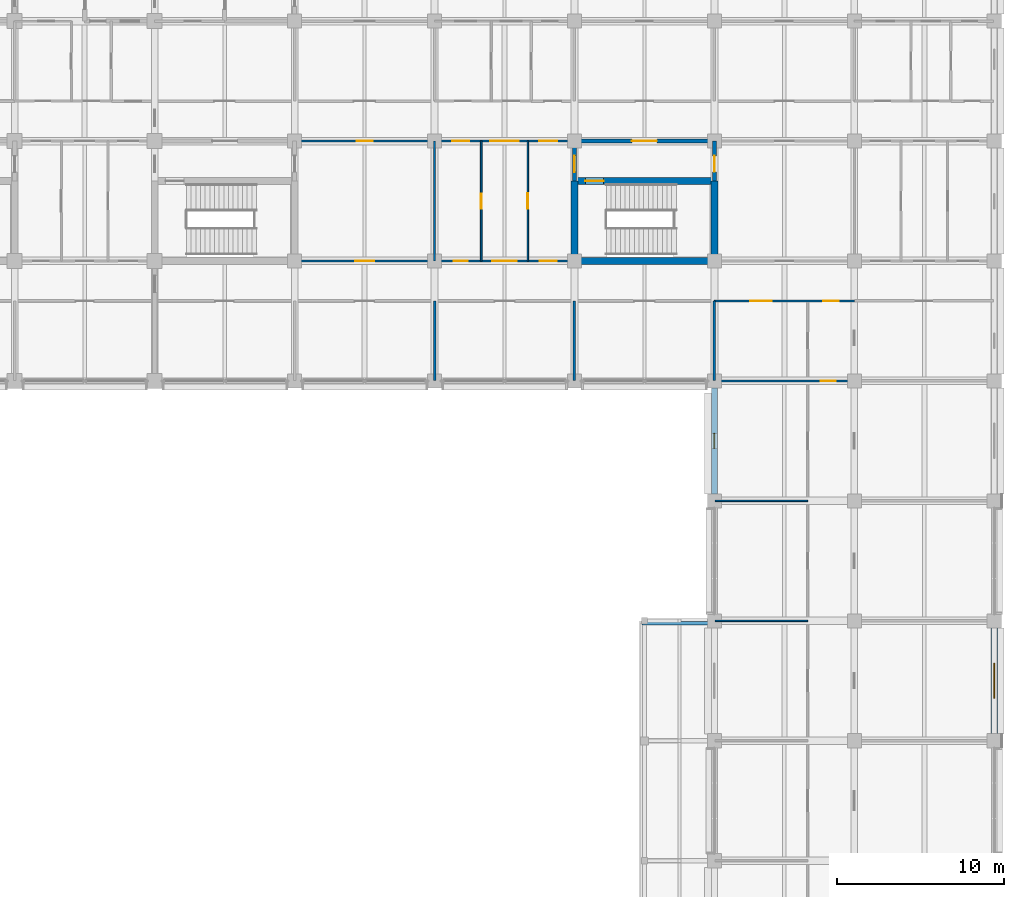
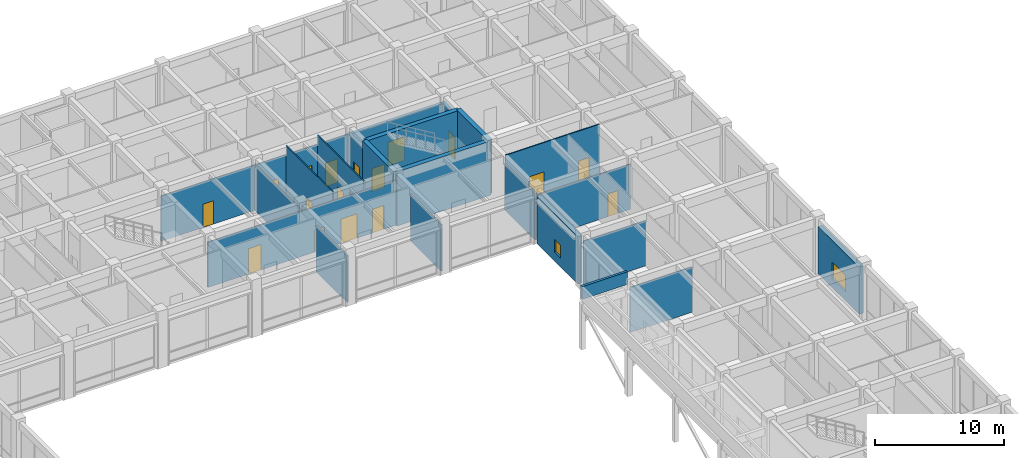
# One storey, part 56 of 68: 22 walls, 17 doors, 2 windows, 19 openings.
"""IFC4 building model written with IfcOpenShell, lengths in metres."""

from ifc_helpers import new_model, si_unit, direction, frame, frame_2d, origin, place, context, subcontext, project, spatial, rectangle, extrude, material, layer, layer_set, type_object, element, fill, save


model = new_model("IFC4")

# Units and contexts
model_context = context("Model", 3, precision=1e-05, world=origin(), true_north=direction((0.0, 1.0)))
body_context = subcontext(model_context, "Body", "Model", "MODEL_VIEW")
ifc_project = project(units=[si_unit("LENGTHUNIT", "METRE"), si_unit("AREAUNIT", "SQUARE_METRE"), si_unit("VOLUMEUNIT", "CUBIC_METRE"), si_unit("PLANEANGLEUNIT", "RADIAN"), si_unit("MASSUNIT", "GRAM", prefix="KILO")], contexts=[model_context])

# Site, building, storey
site_placement = place(None, origin())
site = spatial("IfcSite", under=ifc_project, at=site_placement, CompositionType="ELEMENT")
building_placement = place(site_placement, origin())
building = spatial("IfcBuilding", under=site, at=building_placement, Name="Chengyuan Square Courthouse", CompositionType="ELEMENT")
storey_placement = place(building_placement, frame((0.0, 0.0, 5.39990234375)))
storey = spatial("IfcBuildingStorey", under=building, at=storey_placement, Name="L02", CompositionType="ELEMENT", Elevation=5.39990234375)

# Wall, opening, window
ifc_material_1 = material(Name="Concrete C40", Category="concrete")
ifc_layer_1 = layer(ifc_material_1, 0.3798828125)
ifc_layer_set_1 = layer_set([ifc_layer_1], Name="Concrete C40")
wall_type_1 = type_object("IfcWallType", Name="WL-EW1", PredefinedType="STANDARD", material=ifc_layer_set_1)
wall_1_placement = place(storey_placement, frame((151.199951171875, 72.419921875, 0.0), z_axis=(0.0, 0.0, 1.0), x_axis=(0.0, 1.0, 0.0)))
wall_1 = element("IfcWall", 1, at=wall_1_placement, inside=storey, type_object=wall_type_1, Name="Exterior Wall WL-L02-E245", PredefinedType="STANDARD", context=body_context, shape_type="SweptSolid", body=[
    extrude(rectangle(XDim=6.360107421875, YDim=0.3798828125, at=frame_2d((3.18017578125, 0.0))), origin(), (0.0, 0.0, 1.0), 4.47021484375),
])
opening_1_placement = place(wall_1_placement, frame((2.72998046875, 0.0, 0.85009765625)))
opening_1 = element("IfcOpeningElement", 2, at=opening_1_placement, cuts=wall_1, Name="Opening WN-047", PredefinedType="OPENING", context=body_context, shape_type="SweptSolid", body=[
    extrude(rectangle(XDim=0.89990234375, YDim=1.199951171875, at=frame_2d((0.449951171875, 0.60009765625))), frame((0.0, 0.201904296875, 0.0), z_axis=(0.0, -1.0, 0.0), x_axis=(1.0, 0.0, 0.0)), (0.0, 0.0, 1.0), 0.40380859375),
])
ifc_material_2 = material(Name="Thermally Broken Aluminium Triple Low-E Window", Category="aluminium")
window_type_1 = type_object("IfcWindowType", Name="WT-01", PartitioningType="SINGLE_PANEL", PredefinedType="WINDOW", material=ifc_material_2)
window_1_placement = place(opening_1_placement, origin())
window_1 = element("IfcWindow", 3, at=window_1_placement, inside=storey, type_object=window_type_1, Name="Facade Window WN-047", OverallHeight=1.199951171875, OverallWidth=0.89990234375, PartitioningType="SINGLE_PANEL", PredefinedType="WINDOW", context=body_context, shape_type="SweptSolid", body=[
    extrude(rectangle(XDim=0.89990234375, YDim=1.199951171875, at=frame_2d((0.449951171875, 0.60009765625))), frame((0.0, 0.030029296875, 0.0), z_axis=(0.0, -1.0, 0.0), x_axis=(1.0, 0.0, 0.0)), (0.0, 0.0, 1.0), 0.06005859375),
])
fill(opening_1, window_1)

wall_2_placement = place(storey_placement, frame((168.0, 58.02001953125, 0.0), z_axis=(0.0, 0.0, 1.0), x_axis=(0.0, 1.0, 0.0)))
wall_2 = element("IfcWall", 4, at=wall_2_placement, inside=storey, type_object=wall_type_1, Name="Exterior Wall WL-L02-E251", PredefinedType="STANDARD", context=body_context, shape_type="SweptSolid", body=[
    extrude(rectangle(XDim=6.35986328125, YDim=0.3798828125, at=frame_2d((3.179931640625, 0.0))), origin(), (0.0, 0.0, 1.0), 4.47021484375),
])
opening_2_placement = place(wall_2_placement, frame((2.1298828125, 0.0, 0.85009765625)))
opening_2 = element("IfcOpeningElement", 5, at=opening_2_placement, cuts=wall_2, Name="Opening WN-053", PredefinedType="OPENING", context=body_context, shape_type="SweptSolid", body=[
    extrude(rectangle(XDim=2.10009765625, YDim=1.56005859375, at=frame_2d((1.050048828125, 0.780029296875))), frame((0.0, 0.201904296875, 0.0), z_axis=(0.0, -1.0, 0.0), x_axis=(1.0, 0.0, 0.0)), (0.0, 0.0, 1.0), 0.40380859375),
])
window_type_2 = type_object("IfcWindowType", Name="WT-39", PartitioningType="SINGLE_PANEL", PredefinedType="WINDOW", material=ifc_material_2)
window_2_placement = place(opening_2_placement, origin())
window_2 = element("IfcWindow", 6, at=window_2_placement, inside=storey, type_object=window_type_2, Name="Facade Window WN-053", OverallHeight=1.56005859375, OverallWidth=2.10009765625, PartitioningType="SINGLE_PANEL", PredefinedType="WINDOW", context=body_context, shape_type="SweptSolid", body=[
    extrude(rectangle(XDim=2.10009765625, YDim=1.56005859375, at=frame_2d((1.050048828125, 0.780029296875))), frame((0.0, 0.030029296875, 0.0), z_axis=(0.0, -1.0, 0.0), x_axis=(1.0, 0.0, 0.0)), (0.0, 0.0, 1.0), 0.06005859375),
])
fill(opening_2, window_2)

# Wall, opening, door
ifc_layer_2 = layer(ifc_material_1, 0.25)
ifc_layer_set_2 = layer_set([ifc_layer_2], Name="Concrete C40")
wall_type_2 = type_object("IfcWallType", Name="WL-FW1", PredefinedType="STANDARD", material=ifc_layer_set_2)
wall_3_placement = place(storey_placement, frame((142.800048828125, 93.60009765625, 0.0), z_axis=(0.0, 0.0, 1.0), x_axis=(1.0, 0.0, 0.0)))
wall_3 = element("IfcWall", 7, at=wall_3_placement, inside=storey, type_object=wall_type_2, Name="Interior Wall WL-L02-I1109", PredefinedType="STANDARD", context=body_context, shape_type="SweptSolid", body=[
    extrude(rectangle(XDim=8.39990234375, YDim=0.25, at=frame_2d((4.199951171875, 0.0))), origin(), (0.0, 0.0, 1.0), 4.27001953125),
])
opening_3_placement = place(wall_3_placement, frame((3.449951171875, 0.0, 0.0)))
opening_3 = element("IfcOpeningElement", 8, at=opening_3_placement, cuts=wall_3, Name="Opening DR-1036", PredefinedType="OPENING", context=body_context, shape_type="SweptSolid", body=[
    extrude(rectangle(XDim=1.5, YDim=2.25, at=frame_2d((0.75, 1.125))), frame((0.0, 0.136962890625, 0.0), z_axis=(0.0, -1.0, 0.0), x_axis=(1.0, 0.0, 0.0)), (0.0, 0.0, 1.0), 0.27392578125),
])
ifc_material_3 = material(Name="Steel Q235B Glazed Fire Door", Category="steel")
door_type_1 = type_object("IfcDoorType", Name="DT-19", OperationType="DOUBLE_DOOR_SINGLE_SWING", PredefinedType="DOOR", material=ifc_material_3)
door_1_placement = place(opening_3_placement, frame((1.5, 0.0, 0.0), z_axis=(0.0, 0.0, 1.0), x_axis=(-1.0, 0.0, 0.0)))
door_1 = element("IfcDoor", 9, at=door_1_placement, inside=storey, type_object=door_type_1, Name="Interior Door DR-1036", OperationType="DOUBLE_DOOR_SINGLE_SWING", OverallHeight=2.25, OverallWidth=1.5, PredefinedType="DOOR", context=body_context, shape_type="SweptSolid", body=[
    extrude(rectangle(XDim=1.5, YDim=2.25, at=frame_2d((0.75, 1.125))), frame((0.0, 0.02490234375, 0.0), z_axis=(0.0, -1.0, 0.0), x_axis=(1.0, 0.0, 0.0)), (0.0, 0.0, 1.0), 0.050048828125),
])
fill(opening_3, door_1)

wall_4_placement = place(storey_placement, frame((142.800048828125, 91.199951171875, 0.0), z_axis=(0.0, 0.0, 1.0), x_axis=(0.0, 1.0, 0.0)))
wall_4 = element("IfcWall", 10, at=wall_4_placement, inside=storey, type_object=wall_type_2, Name="Interior Wall WL-L02-I1364", PredefinedType="STANDARD", context=body_context, shape_type="SweptSolid", body=[
    extrude(rectangle(XDim=2.400146484375, YDim=0.25, at=frame_2d((1.2001953125, 0.0))), origin(), (0.0, 0.0, 1.0), 4.3701171875),
])
opening_4_placement = place(wall_4_placement, frame((0.527587890625, 0.0, 0.0)))
opening_4 = element("IfcOpeningElement", 11, at=opening_4_placement, cuts=wall_4, Name="Opening DR-1037", PredefinedType="OPENING", context=body_context, shape_type="SweptSolid", body=[
    extrude(rectangle(XDim=1.0, YDim=2.199951171875, at=frame_2d((0.5, 1.10009765625))), frame((0.0, 0.136962890625, 0.0), z_axis=(0.0, -1.0, 0.0), x_axis=(1.0, 0.0, 0.0)), (0.0, 0.0, 1.0), 0.27392578125),
])
ifc_material_4 = material(Name="Steel Q235B Fire Door", Category="steel")
door_type_2 = type_object("IfcDoorType", Name="DT-11", OperationType="NOTDEFINED", PredefinedType="DOOR", material=ifc_material_4)
door_2_placement = place(opening_4_placement, origin())
door_2 = element("IfcDoor", 12, at=door_2_placement, inside=storey, type_object=door_type_2, Name="Interior Door DR-1037", OperationType="SINGLE_SWING_LEFT", OverallHeight=2.199951171875, OverallWidth=1.0, PredefinedType="DOOR", context=body_context, shape_type="SweptSolid", body=[
    extrude(rectangle(XDim=1.0, YDim=2.199951171875, at=frame_2d((0.5, 1.10009765625))), frame((0.0, 0.02490234375, 0.0), z_axis=(0.0, -1.0, 0.0), x_axis=(1.0, 0.0, 0.0)), (0.0, 0.0, 1.0), 0.050048828125),
])
fill(opening_4, door_2)

wall_5_placement = place(storey_placement, frame((151.199951171875, 91.199951171875, 0.0), z_axis=(0.0, 0.0, 1.0), x_axis=(0.0, 1.0, 0.0)))
wall_5 = element("IfcWall", 13, at=wall_5_placement, inside=storey, type_object=wall_type_2, Name="Interior Wall WL-L02-I1369", PredefinedType="STANDARD", context=body_context, shape_type="SweptSolid", body=[
    extrude(rectangle(XDim=2.400146484375, YDim=0.25, at=frame_2d((1.2001953125, 0.0))), origin(), (0.0, 0.0, 1.0), 4.3701171875),
])
opening_5_placement = place(wall_5_placement, frame((0.552490234375, 0.0, 0.0)))
opening_5 = element("IfcOpeningElement", 14, at=opening_5_placement, cuts=wall_5, Name="Opening DR-1038", PredefinedType="OPENING", context=body_context, shape_type="SweptSolid", body=[
    extrude(rectangle(XDim=0.949951171875, YDim=2.14990234375, at=frame_2d((0.47509765625, 1.074951171875))), frame((0.0, 0.136962890625, 0.0), z_axis=(0.0, -1.0, 0.0), x_axis=(1.0, 0.0, 0.0)), (0.0, 0.0, 1.0), 0.27392578125),
])
door_type_3 = type_object("IfcDoorType", Name="DT-12", OperationType="NOTDEFINED", PredefinedType="DOOR", material=ifc_material_4)
door_3_placement = place(opening_5_placement, origin())
door_3 = element("IfcDoor", 15, at=door_3_placement, inside=storey, type_object=door_type_3, Name="Interior Door DR-1038", OperationType="SINGLE_SWING_RIGHT", OverallHeight=2.14990234375, OverallWidth=0.949951171875, PredefinedType="DOOR", context=body_context, shape_type="SweptSolid", body=[
    extrude(rectangle(XDim=0.949951171875, YDim=2.14990234375, at=frame_2d((0.47509765625, 1.074951171875))), frame((0.0, 0.02490234375, 0.0), z_axis=(0.0, -1.0, 0.0), x_axis=(1.0, 0.0, 0.0)), (0.0, 0.0, 1.0), 0.050048828125),
])
fill(opening_5, door_3)

# Walls
ifc_layer_3 = layer(ifc_material_1, 0.219970703125)
ifc_layer_set_3 = layer_set([ifc_layer_3], Name="Concrete C40")
wall_type_3 = type_object("IfcWallType", Name="WL-PR1", PredefinedType="PARAPET", material=ifc_layer_set_3)
wall_6_placement = place(storey_placement, frame((150.89990234375, 64.659912109375, 4.800048828125), z_axis=(0.0, 0.0, 1.0), x_axis=(-1.0, 0.0, 0.0)))
element("IfcWall", 16, at=wall_6_placement, inside=storey, type_object=wall_type_3, Name="Roof Parapet Wall PAR-L02-007", PredefinedType="PARAPET", context=body_context, shape_type="SweptSolid", body=[
    extrude(rectangle(XDim=4.059814453125, YDim=0.219970703125, at=frame_2d((2.02978515625, 0.0))), origin(), (0.0, 0.0, 1.0), 1.199951171875),
])
ifc_material_5 = material(Name="Deliberation Room Sound-Insulated Partition")
ifc_layer_4 = layer(ifc_material_5, 0.14990234375)
ifc_layer_set_4 = layer_set([ifc_layer_4], Name="Deliberation Room Sound-Insulated Partition")
wall_type_4 = type_object("IfcWallType", Name="WL-PT3", PredefinedType="STANDARD", material=ifc_layer_set_4)
for number, where, z_axis, x_axis, name in (
    (17, (134.39990234375, 79.239990234375, 0.0), (0.0, 0.0, 1.0), (0.0, 1.0, 0.0), "Interior Wall WL-L02-I1354"),
    (18, (142.800048828125, 79.239990234375, 0.0), (0.0, 0.0, 1.0), (0.0, 1.0, 0.0), "Interior Wall WL-L02-I1362"),
    (19, (151.199951171875, 79.239990234375, 0.0), (0.0, 0.0, 1.0), (0.0, 1.0, 0.0), "Interior Wall WL-L02-I1367"),
):
    element("IfcWall", number, at=place(storey_placement, frame(where, z_axis=z_axis, x_axis=x_axis)), inside=storey, type_object=wall_type_4, Name=name, PredefinedType="STANDARD", context=body_context, shape_type="SweptSolid", body=[
        extrude(rectangle(XDim=4.760009765625, YDim=0.14990234375, at=frame_2d((2.3798828125, 0.0))), origin(), (0.0, 0.0, 1.0), 4.3701171875),
    ])
ifc_material_6 = material(Name="Gypsum Plasterboard Acoustic Stud Partition")
ifc_layer_5 = layer(ifc_material_6, 0.10009765625)
ifc_layer_set_5 = layer_set([ifc_layer_5], Name="Gypsum Plasterboard Acoustic Stud Partition")
wall_type_5 = type_object("IfcWallType", Name="WL-PT6", PredefinedType="STANDARD", material=ifc_layer_set_5)
for number, where, z_axis, x_axis, name in (
    (20, (151.239990234375, 64.800048828125, 0.0), (0.0, 0.0, 1.0), (1.0, 0.0, 0.0), "Interior Wall WL-L02-I1052"),
    (21, (151.239990234375, 72.0, 0.0), (0.0, 0.0, 1.0), (1.0, 0.0, 0.0), "Interior Wall WL-L02-I1056"),
):
    element("IfcWall", number, at=place(storey_placement, frame(where, z_axis=z_axis, x_axis=x_axis)), inside=storey, type_object=wall_type_5, Name=name, PredefinedType="STANDARD", context=body_context, shape_type="SweptSolid", body=[
        extrude(rectangle(XDim=5.56005859375, YDim=0.10009765625, at=frame_2d((2.780029296875, 0.0))), origin(), (0.0, 0.0, 1.0), 4.27001953125),
    ])

# Wall, opening, door
wall_7_placement = place(storey_placement, frame((151.239990234375, 79.199951171875, 0.0), z_axis=(0.0, 0.0, 1.0), x_axis=(1.0, 0.0, 0.0)))
wall_7 = element("IfcWall", 22, at=wall_7_placement, inside=storey, type_object=wall_type_5, Name="Interior Wall WL-L02-I1060", PredefinedType="STANDARD", context=body_context, shape_type="SweptSolid", body=[
    extrude(rectangle(XDim=8.360107421875, YDim=0.10009765625, at=frame_2d((4.18017578125, 0.0))), origin(), (0.0, 0.0, 1.0), 4.27001953125),
])
opening_6_placement = place(wall_7_placement, frame((6.327392578125, 0.0, 0.0)))
opening_6 = element("IfcOpeningElement", 23, at=opening_6_placement, cuts=wall_7, Name="Opening DR-1258", PredefinedType="OPENING", context=body_context, shape_type="SweptSolid", body=[
    extrude(rectangle(XDim=0.919921875, YDim=2.14990234375, at=frame_2d((0.4599609375, 1.074951171875))), frame((0.0, 0.06201171875, 0.0), z_axis=(0.0, -1.0, 0.0), x_axis=(1.0, 0.0, 0.0)), (0.0, 0.0, 1.0), 0.1240234375),
])
ifc_material_7 = material(Name="Acoustic Solid-Core Timber Door", Category="wood")
door_type_4 = type_object("IfcDoorType", Name="DT-29", OperationType="NOTDEFINED", PredefinedType="DOOR", material=ifc_material_7)
door_4_placement = place(opening_6_placement, origin())
door_4 = element("IfcDoor", 24, at=door_4_placement, inside=storey, type_object=door_type_4, Name="Interior Door DR-1258", OperationType="SINGLE_SWING_LEFT", OverallHeight=2.14990234375, OverallWidth=0.919921875, PredefinedType="DOOR", context=body_context, shape_type="SweptSolid", body=[
    extrude(rectangle(XDim=0.919921875, YDim=2.14990234375, at=frame_2d((0.4599609375, 1.074951171875))), frame((0.0, 0.02490234375, 0.0), z_axis=(0.0, -1.0, 0.0), x_axis=(1.0, 0.0, 0.0)), (0.0, 0.0, 1.0), 0.050048828125),
])
fill(opening_6, door_4)

# Wall, openings, doors
wall_8_placement = place(storey_placement, frame((151.199951171875, 84.0, 0.0), z_axis=(0.0, 0.0, 1.0), x_axis=(1.0, 0.0, 0.0)))
wall_8 = element("IfcWall", 25, at=wall_8_placement, inside=storey, type_object=wall_type_5, Name="Interior Wall WL-L02-I1065", PredefinedType="STANDARD", context=body_context, shape_type="SweptSolid", body=[
    extrude(rectangle(XDim=8.400146484375, YDim=0.10009765625, at=frame_2d((4.2001953125, 0.0))), origin(), (0.0, 0.0, 1.0), 5.1201171875),
])
opening_7_placement = place(wall_8_placement, frame((2.159912109375, 0.0, 0.0)))
opening_7 = element("IfcOpeningElement", 26, at=opening_7_placement, cuts=wall_8, Name="Opening DR-1250", PredefinedType="OPENING", context=body_context, shape_type="SweptSolid", body=[
    extrude(rectangle(XDim=1.280029296875, YDim=2.35009765625, at=frame_2d((0.64013671875, 1.175048828125))), frame((0.0, 0.06201171875, 0.0), z_axis=(0.0, -1.0, 0.0), x_axis=(1.0, 0.0, 0.0)), (0.0, 0.0, 1.0), 0.1240234375),
])
opening_8_placement = place(wall_8_placement, frame((6.530029296875, 0.0, 0.0)))
opening_8 = element("IfcOpeningElement", 27, at=opening_8_placement, cuts=wall_8, Name="Opening DR-1251", PredefinedType="OPENING", context=body_context, shape_type="SweptSolid", body=[
    extrude(rectangle(XDim=0.93994140625, YDim=2.300048828125, at=frame_2d((0.469970703125, 1.14990234375))), frame((0.0, 0.06201171875, 0.0), z_axis=(0.0, -1.0, 0.0), x_axis=(1.0, 0.0, 0.0)), (0.0, 0.0, 1.0), 0.1240234375),
])
door_type_5 = type_object("IfcDoorType", Name="DT-38", OperationType="NOTDEFINED", PredefinedType="DOOR", material=ifc_material_7)
door_5_placement = place(opening_7_placement, origin())
door_5 = element("IfcDoor", 28, at=door_5_placement, inside=storey, type_object=door_type_5, Name="Interior Door DR-1250", OperationType="SINGLE_SWING_LEFT", OverallHeight=2.35009765625, OverallWidth=1.280029296875, PredefinedType="DOOR", context=body_context, shape_type="SweptSolid", body=[
    extrude(rectangle(XDim=1.280029296875, YDim=2.35009765625, at=frame_2d((0.64013671875, 1.175048828125))), frame((0.0, 0.02490234375, 0.0), z_axis=(0.0, -1.0, 0.0), x_axis=(1.0, 0.0, 0.0)), (0.0, 0.0, 1.0), 0.050048828125),
])
fill(opening_7, door_5)
door_type_6 = type_object("IfcDoorType", Name="DT-39", OperationType="NOTDEFINED", PredefinedType="DOOR", material=ifc_material_7)
door_6_placement = place(opening_8_placement, origin())
door_6 = element("IfcDoor", 29, at=door_6_placement, inside=storey, type_object=door_type_6, Name="Interior Door DR-1251", OperationType="SINGLE_SWING_RIGHT", OverallHeight=2.300048828125, OverallWidth=0.93994140625, PredefinedType="DOOR", context=body_context, shape_type="SweptSolid", body=[
    extrude(rectangle(XDim=0.93994140625, YDim=2.300048828125, at=frame_2d((0.469970703125, 1.14990234375))), frame((0.0, 0.02490234375, 0.0), z_axis=(0.0, -1.0, 0.0), x_axis=(1.0, 0.0, 0.0)), (0.0, 0.0, 1.0), 0.050048828125),
])
fill(opening_8, door_6)

wall_9_placement = place(storey_placement, frame((126.0, 86.39990234375, 0.0), z_axis=(0.0, 0.0, 1.0), x_axis=(1.0, 0.0, 0.0)))
wall_9 = element("IfcWall", 30, at=wall_9_placement, inside=storey, type_object=wall_type_5, Name="Interior Wall WL-L02-I1080", PredefinedType="STANDARD", context=body_context, shape_type="SweptSolid", body=[
    extrude(rectangle(XDim=16.800048828125, YDim=0.10009765625, at=frame_2d((8.39990234375, 0.0))), origin(), (0.0, 0.0, 1.0), 4.27001953125),
])
opening_9_placement = place(wall_9_placement, frame((3.6298828125, 0.0, 0.0)))
opening_9 = element("IfcOpeningElement", 31, at=opening_9_placement, cuts=wall_9, Name="Opening DR-1204", PredefinedType="OPENING", context=body_context, shape_type="SweptSolid", body=[
    extrude(rectangle(XDim=1.139892578125, YDim=2.39990234375, at=frame_2d((0.56982421875, 1.199951171875))), frame((0.0, 0.06201171875, 0.0), z_axis=(0.0, -1.0, 0.0), x_axis=(1.0, 0.0, 0.0)), (0.0, 0.0, 1.0), 0.1240234375),
])
opening_10_placement = place(wall_9_placement, frame((9.54248046875, 0.0, 0.0)))
opening_10 = element("IfcOpeningElement", 32, at=opening_10_placement, cuts=wall_9, Name="Opening DR-1206", PredefinedType="OPENING", context=body_context, shape_type="SweptSolid", body=[
    extrude(rectangle(XDim=0.860107421875, YDim=2.10009765625, at=frame_2d((0.43017578125, 1.050048828125))), frame((0.0, 0.06201171875, 0.0), z_axis=(0.0, -1.0, 0.0), x_axis=(1.0, 0.0, 0.0)), (0.0, 0.0, 1.0), 0.1240234375),
])
opening_11_placement = place(wall_9_placement, frame((11.875, 0.0, 0.0)))
opening_11 = element("IfcOpeningElement", 33, at=opening_11_placement, cuts=wall_9, Name="Opening DR-1208", PredefinedType="OPENING", context=body_context, shape_type="SweptSolid", body=[
    extrude(rectangle(XDim=1.449951171875, YDim=2.300048828125, at=frame_2d((0.72509765625, 1.14990234375))), frame((0.0, 0.06201171875, 0.0), z_axis=(0.0, -1.0, 0.0), x_axis=(1.0, 0.0, 0.0)), (0.0, 0.0, 1.0), 0.1240234375),
])
opening_12_placement = place(wall_9_placement, frame((14.7275390625, 0.0, 0.0)))
opening_12 = element("IfcOpeningElement", 34, at=opening_12_placement, cuts=wall_9, Name="Opening DR-1209", PredefinedType="OPENING", context=body_context, shape_type="SweptSolid", body=[
    extrude(rectangle(XDim=1.0, YDim=2.25, at=frame_2d((0.5, 1.125))), frame((0.0, 0.06201171875, 0.0), z_axis=(0.0, -1.0, 0.0), x_axis=(1.0, 0.0, 0.0)), (0.0, 0.0, 1.0), 0.1240234375),
])
ifc_material_8 = material(Name="Acoustic Larch Veneer Double Door")
door_type_7 = type_object("IfcDoorType", Name="DT-25", OperationType="DOUBLE_DOOR_SINGLE_SWING", PredefinedType="DOOR", material=ifc_material_8)
door_7_placement = place(opening_11_placement, frame((1.449951171875, 0.0, 0.0), z_axis=(0.0, 0.0, 1.0), x_axis=(-1.0, 0.0, 0.0)))
door_7 = element("IfcDoor", 35, at=door_7_placement, inside=storey, type_object=door_type_7, Name="Interior Door DR-1208", OperationType="DOUBLE_DOOR_SINGLE_SWING", OverallHeight=2.300048828125, OverallWidth=1.449951171875, PredefinedType="DOOR", context=body_context, shape_type="SweptSolid", body=[
    extrude(rectangle(XDim=1.449951171875, YDim=2.300048828125, at=frame_2d((0.72509765625, 1.14990234375))), frame((0.0, 0.02490234375, 0.0), z_axis=(0.0, -1.0, 0.0), x_axis=(1.0, 0.0, 0.0)), (0.0, 0.0, 1.0), 0.050048828125),
])
fill(opening_11, door_7)
door_type_8 = type_object("IfcDoorType", Name="DT-28", OperationType="NOTDEFINED", PredefinedType="DOOR", material=ifc_material_7)
door_8_placement = place(opening_10_placement, origin())
door_8 = element("IfcDoor", 36, at=door_8_placement, inside=storey, type_object=door_type_8, Name="Interior Door DR-1206", OperationType="SINGLE_SWING_LEFT", OverallHeight=2.10009765625, OverallWidth=0.860107421875, PredefinedType="DOOR", context=body_context, shape_type="SweptSolid", body=[
    extrude(rectangle(XDim=0.860107421875, YDim=2.10009765625, at=frame_2d((0.43017578125, 1.050048828125))), frame((0.0, 0.02490234375, 0.0), z_axis=(0.0, -1.0, 0.0), x_axis=(1.0, 0.0, 0.0)), (0.0, 0.0, 1.0), 0.050048828125),
])
fill(opening_10, door_8)
door_type_9 = type_object("IfcDoorType", Name="DT-31", OperationType="NOTDEFINED", PredefinedType="DOOR", material=ifc_material_7)
door_9_placement = place(opening_12_placement, origin())
door_9 = element("IfcDoor", 37, at=door_9_placement, inside=storey, type_object=door_type_9, Name="Interior Door DR-1209", OperationType="SINGLE_SWING_LEFT", OverallHeight=2.25, OverallWidth=1.0, PredefinedType="DOOR", context=body_context, shape_type="SweptSolid", body=[
    extrude(rectangle(XDim=1.0, YDim=2.25, at=frame_2d((0.5, 1.125))), frame((0.0, 0.02490234375, 0.0), z_axis=(0.0, -1.0, 0.0), x_axis=(1.0, 0.0, 0.0)), (0.0, 0.0, 1.0), 0.050048828125),
])
fill(opening_12, door_9)
door_type_10 = type_object("IfcDoorType", Name="DT-43", OperationType="NOTDEFINED", PredefinedType="DOOR", material=ifc_material_7)
door_10_placement = place(opening_9_placement, origin())
door_10 = element("IfcDoor", 38, at=door_10_placement, inside=storey, type_object=door_type_10, Name="Interior Door DR-1204", OperationType="SINGLE_SWING_LEFT", OverallHeight=2.39990234375, OverallWidth=1.139892578125, PredefinedType="DOOR", context=body_context, shape_type="SweptSolid", body=[
    extrude(rectangle(XDim=1.139892578125, YDim=2.39990234375, at=frame_2d((0.56982421875, 1.199951171875))), frame((0.0, 0.02490234375, 0.0), z_axis=(0.0, -1.0, 0.0), x_axis=(1.0, 0.0, 0.0)), (0.0, 0.0, 1.0), 0.050048828125),
])
fill(opening_9, door_10)

wall_10_placement = place(storey_placement, frame((126.0, 93.60009765625, 0.0), z_axis=(0.0, 0.0, 1.0), x_axis=(1.0, 0.0, 0.0)))
wall_10 = element("IfcWall", 39, at=wall_10_placement, inside=storey, type_object=wall_type_5, Name="Interior Wall WL-L02-I1108", PredefinedType="STANDARD", context=body_context, shape_type="SweptSolid", body=[
    extrude(rectangle(XDim=16.800048828125, YDim=0.10009765625, at=frame_2d((8.39990234375, 0.0))), origin(), (0.0, 0.0, 1.0), 4.27001953125),
])
opening_13_placement = place(wall_10_placement, frame((3.719970703125, 0.0, 0.0)))
opening_13 = element("IfcOpeningElement", 40, at=opening_13_placement, cuts=wall_10, Name="Opening DR-1157", PredefinedType="OPENING", context=body_context, shape_type="SweptSolid", body=[
    extrude(rectangle(XDim=0.9599609375, YDim=2.199951171875, at=frame_2d((0.47998046875, 1.10009765625))), frame((0.0, 0.06201171875, 0.0), z_axis=(0.0, -1.0, 0.0), x_axis=(1.0, 0.0, 0.0)), (0.0, 0.0, 1.0), 0.1240234375),
])
opening_14_placement = place(wall_10_placement, frame((9.472412109375, 0.0, 0.0)))
opening_14 = element("IfcOpeningElement", 41, at=opening_14_placement, cuts=wall_10, Name="Opening DR-1158", PredefinedType="OPENING", context=body_context, shape_type="SweptSolid", body=[
    extrude(rectangle(XDim=1.0, YDim=2.25, at=frame_2d((0.5, 1.125))), frame((0.0, 0.06201171875, 0.0), z_axis=(0.0, -1.0, 0.0), x_axis=(1.0, 0.0, 0.0)), (0.0, 0.0, 1.0), 0.1240234375),
])
opening_15_placement = place(wall_10_placement, frame((11.75, 0.0, 0.0)))
opening_15 = element("IfcOpeningElement", 42, at=opening_15_placement, cuts=wall_10, Name="Opening DR-1159", PredefinedType="OPENING", context=body_context, shape_type="SweptSolid", body=[
    extrude(rectangle(XDim=1.699951171875, YDim=2.449951171875, at=frame_2d((0.85009765625, 1.22509765625))), frame((0.0, 0.06201171875, 0.0), z_axis=(0.0, -1.0, 0.0), x_axis=(1.0, 0.0, 0.0)), (0.0, 0.0, 1.0), 0.1240234375),
])
opening_16_placement = place(wall_10_placement, frame((14.6875, 0.0, 0.0)))
opening_16 = element("IfcOpeningElement", 43, at=opening_16_placement, cuts=wall_10, Name="Opening DR-1160", PredefinedType="OPENING", context=body_context, shape_type="SweptSolid", body=[
    extrude(rectangle(XDim=1.080078125, YDim=2.25, at=frame_2d((0.5400390625, 1.125))), frame((0.0, 0.06201171875, 0.0), z_axis=(0.0, -1.0, 0.0), x_axis=(1.0, 0.0, 0.0)), (0.0, 0.0, 1.0), 0.1240234375),
])
door_type_11 = type_object("IfcDoorType", Name="DT-24", OperationType="DOUBLE_DOOR_SINGLE_SWING", PredefinedType="DOOR", material=ifc_material_8)
door_11_placement = place(opening_15_placement, frame((1.699951171875, 0.0, 0.0), z_axis=(0.0, 0.0, 1.0), x_axis=(-1.0, 0.0, 0.0)))
door_11 = element("IfcDoor", 44, at=door_11_placement, inside=storey, type_object=door_type_11, Name="Interior Door DR-1159", OperationType="DOUBLE_DOOR_SINGLE_SWING", OverallHeight=2.449951171875, OverallWidth=1.699951171875, PredefinedType="DOOR", context=body_context, shape_type="SweptSolid", body=[
    extrude(rectangle(XDim=1.699951171875, YDim=2.449951171875, at=frame_2d((0.85009765625, 1.22509765625))), frame((0.0, 0.02490234375, 0.0), z_axis=(0.0, -1.0, 0.0), x_axis=(1.0, 0.0, 0.0)), (0.0, 0.0, 1.0), 0.050048828125),
])
fill(opening_15, door_11)
door_type_12 = type_object("IfcDoorType", Name="DT-30", OperationType="NOTDEFINED", PredefinedType="DOOR", material=ifc_material_7)
door_12_placement = place(opening_13_placement, origin())
door_12 = element("IfcDoor", 45, at=door_12_placement, inside=storey, type_object=door_type_12, Name="Interior Door DR-1157", OperationType="SINGLE_SWING_LEFT", OverallHeight=2.199951171875, OverallWidth=0.9599609375, PredefinedType="DOOR", context=body_context, shape_type="SweptSolid", body=[
    extrude(rectangle(XDim=0.9599609375, YDim=2.199951171875, at=frame_2d((0.47998046875, 1.10009765625))), frame((0.0, 0.02490234375, 0.0), z_axis=(0.0, -1.0, 0.0), x_axis=(1.0, 0.0, 0.0)), (0.0, 0.0, 1.0), 0.050048828125),
])
fill(opening_13, door_12)
door_13_placement = place(opening_14_placement, origin())
door_13 = element("IfcDoor", 46, at=door_13_placement, inside=storey, type_object=door_type_9, Name="Interior Door DR-1158", OperationType="SINGLE_SWING_RIGHT", OverallHeight=2.25, OverallWidth=1.0, PredefinedType="DOOR", context=body_context, shape_type="SweptSolid", body=[
    extrude(rectangle(XDim=1.0, YDim=2.25, at=frame_2d((0.5, 1.125))), frame((0.0, 0.02490234375, 0.0), z_axis=(0.0, -1.0, 0.0), x_axis=(1.0, 0.0, 0.0)), (0.0, 0.0, 1.0), 0.050048828125),
])
fill(opening_14, door_13)
door_type_13 = type_object("IfcDoorType", Name="DT-33", OperationType="NOTDEFINED", PredefinedType="DOOR", material=ifc_material_7)
door_14_placement = place(opening_16_placement, origin())
door_14 = element("IfcDoor", 47, at=door_14_placement, inside=storey, type_object=door_type_13, Name="Interior Door DR-1160", OperationType="SINGLE_SWING_LEFT", OverallHeight=2.25, OverallWidth=1.080078125, PredefinedType="DOOR", context=body_context, shape_type="SweptSolid", body=[
    extrude(rectangle(XDim=1.080078125, YDim=2.25, at=frame_2d((0.5400390625, 1.125))), frame((0.0, 0.02490234375, 0.0), z_axis=(0.0, -1.0, 0.0), x_axis=(1.0, 0.0, 0.0)), (0.0, 0.0, 1.0), 0.050048828125),
])
fill(opening_16, door_14)

# Wall
wall_11_placement = place(storey_placement, frame((134.39990234375, 86.39990234375, 0.0), z_axis=(0.0, 0.0, 1.0), x_axis=(0.0, 1.0, 0.0)))
element("IfcWall", 48, at=wall_11_placement, inside=storey, type_object=wall_type_5, Name="Interior Wall WL-L02-I1355", PredefinedType="STANDARD", context=body_context, shape_type="SweptSolid", body=[
    extrude(rectangle(XDim=7.2001953125, YDim=0.10009765625, at=frame_2d((3.60009765625, 0.0))), origin(), (0.0, 0.0, 1.0), 4.3701171875),
])

# Wall, opening, door
wall_12_placement = place(storey_placement, frame((137.199951171875, 86.39990234375, 0.0), z_axis=(0.0, 0.0, 1.0), x_axis=(0.0, 1.0, 0.0)))
wall_12 = element("IfcWall", 49, at=wall_12_placement, inside=storey, type_object=wall_type_5, Name="Interior Wall WL-L02-I1358", PredefinedType="STANDARD", context=body_context, shape_type="SweptSolid", body=[
    extrude(rectangle(XDim=7.2001953125, YDim=0.10009765625, at=frame_2d((3.60009765625, 0.0))), origin(), (0.0, 0.0, 1.0), 5.1201171875),
])
opening_17_placement = place(wall_12_placement, frame((3.14990234375, 0.0, 0.0)))
opening_17 = element("IfcOpeningElement", 50, at=opening_17_placement, cuts=wall_12, Name="Opening DR-1205", PredefinedType="OPENING", context=body_context, shape_type="SweptSolid", body=[
    extrude(rectangle(XDim=0.89990234375, YDim=2.14990234375, at=frame_2d((0.449951171875, 1.074951171875))), frame((0.0, 0.06201171875, 0.0), z_axis=(0.0, -1.0, 0.0), x_axis=(1.0, 0.0, 0.0)), (0.0, 0.0, 1.0), 0.1240234375),
])
door_type_14 = type_object("IfcDoorType", Name="DT-27", OperationType="NOTDEFINED", PredefinedType="DOOR", material=ifc_material_7)
door_15_placement = place(opening_17_placement, origin())
door_15 = element("IfcDoor", 51, at=door_15_placement, inside=storey, type_object=door_type_14, Name="Interior Door DR-1205", OperationType="SINGLE_SWING_RIGHT", OverallHeight=2.14990234375, OverallWidth=0.89990234375, PredefinedType="DOOR", context=body_context, shape_type="SweptSolid", body=[
    extrude(rectangle(XDim=0.89990234375, YDim=2.14990234375, at=frame_2d((0.449951171875, 1.074951171875))), frame((0.0, 0.02490234375, 0.0), z_axis=(0.0, -1.0, 0.0), x_axis=(1.0, 0.0, 0.0)), (0.0, 0.0, 1.0), 0.050048828125),
])
fill(opening_17, door_15)

wall_13_placement = place(storey_placement, frame((140.0, 86.39990234375, 0.0), z_axis=(0.0, 0.0, 1.0), x_axis=(0.0, 1.0, 0.0)))
wall_13 = element("IfcWall", 52, at=wall_13_placement, inside=storey, type_object=wall_type_5, Name="Interior Wall WL-L02-I1360", PredefinedType="STANDARD", context=body_context, shape_type="SweptSolid", body=[
    extrude(rectangle(XDim=7.2001953125, YDim=0.10009765625, at=frame_2d((3.60009765625, 0.0))), origin(), (0.0, 0.0, 1.0), 5.1201171875),
])
opening_18_placement = place(wall_13_placement, frame((3.139892578125, 0.0, 0.0)))
opening_18 = element("IfcOpeningElement", 53, at=opening_18_placement, cuts=wall_13, Name="Opening DR-1207", PredefinedType="OPENING", context=body_context, shape_type="SweptSolid", body=[
    extrude(rectangle(XDim=0.919921875, YDim=2.14990234375, at=frame_2d((0.4599609375, 1.074951171875))), frame((0.0, 0.06201171875, 0.0), z_axis=(0.0, -1.0, 0.0), x_axis=(1.0, 0.0, 0.0)), (0.0, 0.0, 1.0), 0.1240234375),
])
door_16_placement = place(opening_18_placement, origin())
door_16 = element("IfcDoor", 54, at=door_16_placement, inside=storey, type_object=door_type_4, Name="Interior Door DR-1207", OperationType="SINGLE_SWING_RIGHT", OverallHeight=2.14990234375, OverallWidth=0.919921875, PredefinedType="DOOR", context=body_context, shape_type="SweptSolid", body=[
    extrude(rectangle(XDim=0.919921875, YDim=2.14990234375, at=frame_2d((0.4599609375, 1.074951171875))), frame((0.0, 0.02490234375, 0.0), z_axis=(0.0, -1.0, 0.0), x_axis=(1.0, 0.0, 0.0)), (0.0, 0.0, 1.0), 0.050048828125),
])
fill(opening_18, door_16)

# Wall
ifc_material_9 = material(Name="Concrete C50", Category="concrete")
ifc_layer_6 = layer(ifc_material_9, 0.39990234375)
ifc_layer_set_6 = layer_set([ifc_layer_6], Name="Concrete C50")
wall_type_6 = type_object("IfcWallType", Name="WL-SW1", PredefinedType="SHEAR", material=ifc_layer_set_6)
wall_14_placement = place(storey_placement, frame((142.800048828125, 86.39990234375, 0.0), z_axis=(0.0, 0.0, 1.0), x_axis=(1.0, 0.0, 0.0)))
element("IfcWall", 55, at=wall_14_placement, inside=storey, type_object=wall_type_6, Name="Interior Wall WL-L02-I1081", PredefinedType="SHEAR", context=body_context, shape_type="SweptSolid", body=[
    extrude(rectangle(XDim=8.39990234375, YDim=0.39990234375, at=frame_2d((4.199951171875, 0.0))), origin(), (0.0, 0.0, 1.0), 5.1201171875),
])

# Wall, opening, door
wall_15_placement = place(storey_placement, frame((142.800048828125, 91.199951171875, 0.0), z_axis=(0.0, 0.0, 1.0), x_axis=(1.0, 0.0, 0.0)))
wall_15 = element("IfcWall", 56, at=wall_15_placement, inside=storey, type_object=wall_type_6, Name="Interior Wall WL-L02-I1097", PredefinedType="SHEAR", context=body_context, shape_type="SweptSolid", body=[
    extrude(rectangle(XDim=8.39990234375, YDim=0.39990234375, at=frame_2d((4.199951171875, 0.0))), origin(), (0.0, 0.0, 1.0), 5.1201171875),
])
opening_19_placement = place(wall_15_placement, frame((0.64990234375, 0.0, 0.0)))
opening_19 = element("IfcOpeningElement", 57, at=opening_19_placement, cuts=wall_15, Name="Opening DR-1008", PredefinedType="OPENING", context=body_context, shape_type="SweptSolid", body=[
    extrude(rectangle(XDim=1.10009765625, YDim=2.199951171875, at=frame_2d((0.550048828125, 1.10009765625))), frame((0.0, 0.2119140625, 0.0), z_axis=(0.0, -1.0, 0.0), x_axis=(1.0, 0.0, 0.0)), (0.0, 0.0, 1.0), 0.423828125),
])
door_type_15 = type_object("IfcDoorType", Name="DT-10", OperationType="NOTDEFINED", PredefinedType="DOOR", material=ifc_material_4)
door_17_placement = place(opening_19_placement, frame((1.10009765625, 0.0, 0.0), z_axis=(0.0, 0.0, 1.0), x_axis=(-1.0, 0.0, 0.0)))
door_17 = element("IfcDoor", 58, at=door_17_placement, inside=storey, type_object=door_type_15, Name="Smoke-Proof Stairwell Fire Door ST-10 DR-1008", OperationType="SINGLE_SWING_RIGHT", OverallHeight=2.199951171875, OverallWidth=1.10009765625, PredefinedType="DOOR", context=body_context, shape_type="SweptSolid", body=[
    extrude(rectangle(XDim=1.10009765625, YDim=2.199951171875, at=frame_2d((0.550048828125, 1.10009765625))), frame((0.0, 0.02490234375, 0.0), z_axis=(0.0, -1.0, 0.0), x_axis=(1.0, 0.0, 0.0)), (0.0, 0.0, 1.0), 0.050048828125),
])
fill(opening_19, door_17)

# Walls
for number, where, z_axis, x_axis, name in (
    (59, (142.800048828125, 86.39990234375, 0.0), (0.0, 0.0, 1.0), (0.0, 1.0, 0.0), "Interior Wall WL-L02-I1363"),
    (60, (151.199951171875, 86.39990234375, 0.0), (0.0, 0.0, 1.0), (0.0, 1.0, 0.0), "Interior Wall WL-L02-I1368"),
):
    element("IfcWall", number, at=place(storey_placement, frame(where, z_axis=z_axis, x_axis=x_axis)), inside=storey, type_object=wall_type_6, Name=name, PredefinedType="SHEAR", context=body_context, shape_type="SweptSolid", body=[
        extrude(rectangle(XDim=4.800048828125, YDim=0.39990234375, at=frame_2d((2.39990234375, 0.0))), origin(), (0.0, 0.0, 1.0), 5.1201171875),
    ])

save(model, "model.ifc")
